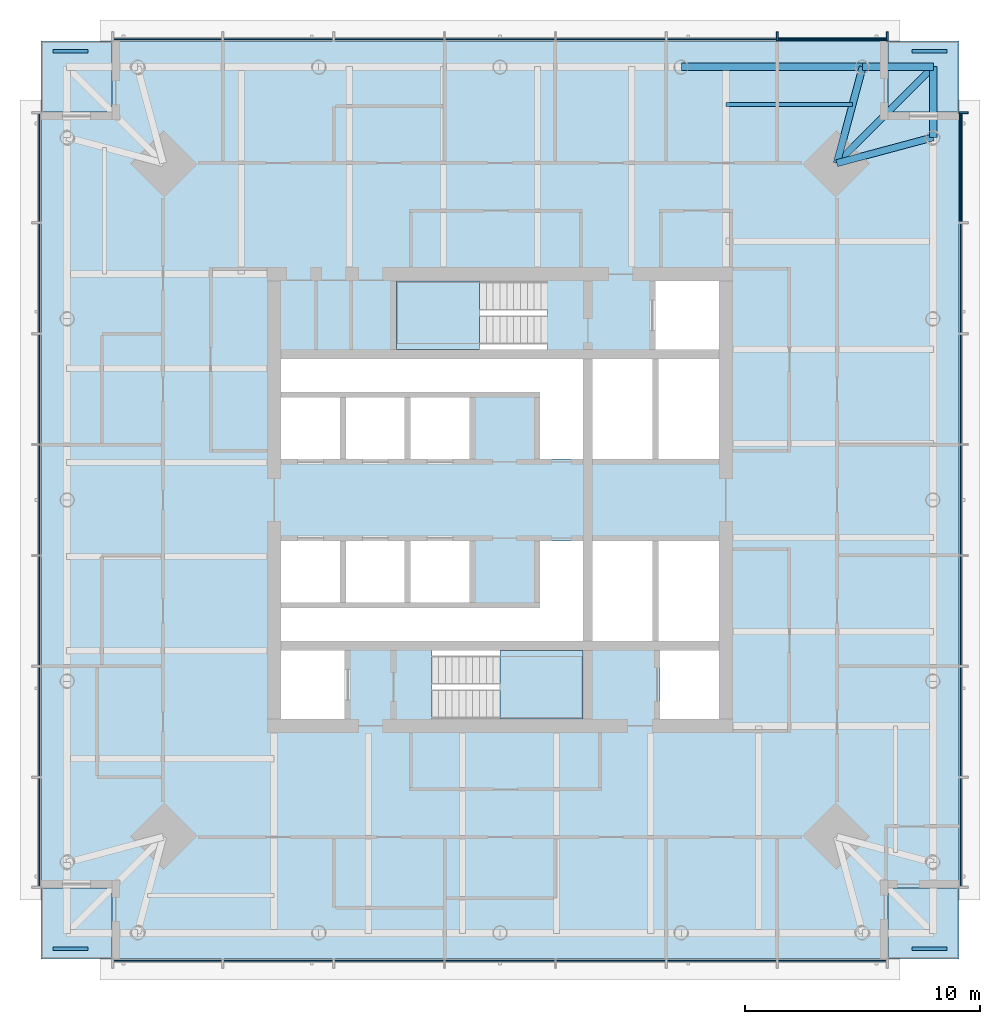
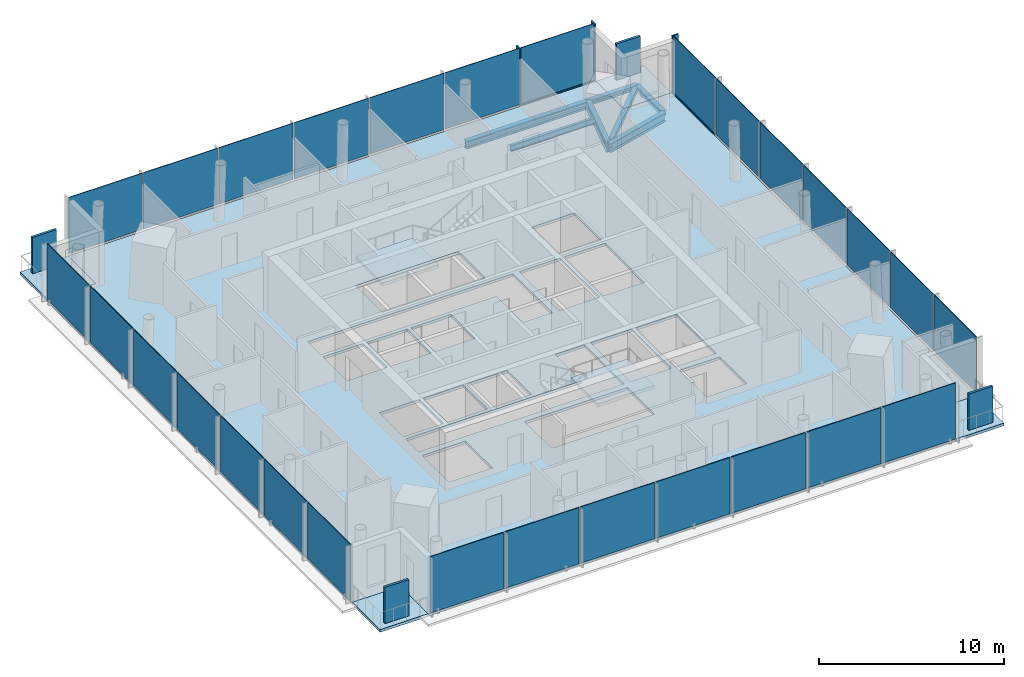
# One storey, part 3 of 11: 32 plates, 7 beams, 7 slabs, 5 members, 6 elements without a shape of their own.
"""IFC4 building model written with IfcOpenShell, lengths in metres."""

from ifc_helpers import new_model, si_unit, direction, frame, origin, origin_2d, place, context, subcontext, project, spatial, polyline, rectangle, i_section, outline, extrude, material, layer, layer_set, material_profile, profile_set, type_object, element, aggregate, save


model = new_model("IFC4")

# Units and contexts
model_context = context("Model", 3, precision=1e-05, world=origin(), true_north=direction((0.0, 1.0)))
body_context = subcontext(model_context, "Body", "Model", "MODEL_VIEW")
ifc_project = project(units=[si_unit("LENGTHUNIT", "METRE"), si_unit("AREAUNIT", "SQUARE_METRE"), si_unit("VOLUMEUNIT", "CUBIC_METRE"), si_unit("PLANEANGLEUNIT", "RADIAN"), si_unit("MASSUNIT", "GRAM", prefix="KILO")], contexts=[model_context])

# Site, building, storey
site_placement = place(None, origin())
site = spatial("IfcSite", under=ifc_project, at=site_placement, CompositionType="ELEMENT")
building_placement = place(site_placement, origin())
building = spatial("IfcBuilding", under=site, at=building_placement, Name="Ostroluk Exchange", CompositionType="ELEMENT")
storey_placement = place(building_placement, frame((0.0, 0.0, 195.800048828125)))
storey = spatial("IfcBuildingStorey", under=building, at=storey_placement, Name="L50", CompositionType="ELEMENT", Elevation=195.800048828125)

# Beams
ifc_material_1 = material(Name="Steel S355", Category="steel")
ifc_material_profile_1 = material_profile(ifc_material_1, i_section(OverallWidth=0.300048828125, OverallDepth=0.300048828125, WebThickness=0.010986328125, FlangeThickness=0.01904296875, FilletRadius=0.027099609375, at=origin_2d()), Name="HEB 300")
ifc_profile_set_1 = profile_set([ifc_material_profile_1], Name="Steel S355")
beam_type_1 = type_object("IfcBeamType", Name="Balcony beam HEB 300", PredefinedType="BEAM", material=ifc_profile_set_1)
for number, where, z_axis, x_axis, name in (
    (1, (63.414306640625, 61.414306640625, -0.330078125), (0.0, 1.0, 0.0), (-1.0, 0.0, 0.0), "T1 east balcony beam a"),
    (2, (60.414306640625, 64.414306640625, -0.330078125), (1.0, 0.0, 0.0), (0.0, 1.0, 0.0), "T1 east balcony beam b"),
):
    element("IfcBeam", number, at=place(storey_placement, frame(where, z_axis=z_axis, x_axis=x_axis)), inside=storey, type_object=beam_type_1, Name=name, PredefinedType="BEAM", context=body_context, shape_type="SweptSolid", body=[
        extrude(i_section(OverallWidth=0.300048828125, OverallDepth=0.300048828125, WebThickness=0.010986328125, FlangeThickness=0.01904296875, FilletRadius=0.027099609375, at=origin_2d()), origin(), (0.0, 0.0, 1.0), 3.0),
    ])
beam_1_placement = place(storey_placement, frame((59.314208984375, 60.314208984375, -0.330078125), z_axis=(0.707106781187, 0.707106781187, 0.0), x_axis=(-0.707106781187, 0.707106781187, 0.0)))
element("IfcBeam", 3, at=beam_1_placement, inside=storey, type_object=beam_type_1, Name="T1 east balcony beam c", PredefinedType="BEAM", context=body_context, shape_type="SweptSolid", body=[
    extrude(i_section(OverallWidth=0.300048828125, OverallDepth=0.300048828125, WebThickness=0.010986328125, FlangeThickness=0.01904296875, FilletRadius=0.027099609375, at=origin_2d()), origin(), (0.0, 0.0, 1.0), 5.79833984375),
])
ifc_material_2 = material(Name="Steel S355", Category="steel")
ifc_material_profile_2 = material_profile(ifc_material_2, i_section(OverallWidth=0.300048828125, OverallDepth=0.60009765625, WebThickness=0.015380859375, FlangeThickness=0.030029296875, FilletRadius=0.027099609375, at=origin_2d()), Name="HEB 600")
ifc_profile_set_2 = profile_set([ifc_material_profile_2], Name="Steel S355")
beam_type_2 = type_object("IfcBeamType", Name="Corner edge beam HEB 600", PredefinedType="SPANDREL", material=ifc_profile_set_2)
for number, where, z_axis, x_axis, name in (
    (4, (59.314208984375, 60.314208984375, -0.47998046875), (0.965838624319, 0.259144268261, 0.0), (-0.259144268261, 0.965838624319, 0.0), "T1 east corner edge beam a"),
    (5, (59.314208984375, 60.314208984375, -0.47998046875), (0.259144268261, 0.965838624319, 0.0), (-0.965838624319, 0.259144268261, 0.0), "T1 east corner edge beam b"),
):
    element("IfcBeam", number, at=place(storey_placement, frame(where, z_axis=z_axis, x_axis=x_axis)), inside=storey, type_object=beam_type_2, Name=name, PredefinedType="SPANDREL", context=body_context, shape_type="SweptSolid", body=[
        extrude(i_section(OverallWidth=0.300048828125, OverallDepth=0.60009765625, WebThickness=0.015380859375, FlangeThickness=0.030029296875, FilletRadius=0.027099609375, at=origin_2d()), origin(), (0.0, 0.0, 1.0), 4.2451171875),
    ])
ifc_material_3 = material(Name="Steel S355", Category="steel")
ifc_material_profile_3 = material_profile(ifc_material_3, i_section(OverallWidth=0.179931640625, OverallDepth=0.39990234375, WebThickness=0.008544921875, FlangeThickness=0.013427734375, FilletRadius=0.02099609375, at=origin_2d()), Name="IPE 400")
ifc_profile_set_3 = profile_set([ifc_material_profile_3], Name="Steel S355")
beam_type_3 = type_object("IfcBeamType", Name="Floor beam IPE 400", PredefinedType="BEAM", material=ifc_profile_set_3)
beam_2_placement = place(storey_placement, frame((54.60009765625, 62.814208984375, -0.380126953125), z_axis=(1.0, 0.0, 0.0), x_axis=(0.0, 1.0, 0.0)))
element("IfcBeam", 6, at=beam_2_placement, inside=storey, type_object=beam_type_3, Name="T1 east floor beam 6", PredefinedType="BEAM", context=body_context, shape_type="SweptSolid", body=[
    extrude(i_section(OverallWidth=0.179931640625, OverallDepth=0.39990234375, WebThickness=0.008544921875, FlangeThickness=0.013427734375, FilletRadius=0.02099609375, at=origin_2d()), origin(), (0.0, 0.0, 1.0), 5.385009765625),
])
ifc_material_4 = material(Name="Steel S355", Category="steel")
ifc_material_profile_4 = material_profile(ifc_material_4, i_section(OverallWidth=0.300048828125, OverallDepth=0.5, WebThickness=0.014404296875, FlangeThickness=0.028076171875, FilletRadius=0.027099609375, at=origin_2d()), Name="HEB 500")
ifc_profile_set_4 = profile_set([ifc_material_profile_4], Name="Steel S355")
beam_type_4 = type_object("IfcBeamType", Name="Moment-connected edge beam HEB 500", PredefinedType="SPANDREL", material=ifc_profile_set_4)
beam_3_placement = place(storey_placement, frame((60.414306640625, 64.414306640625, -0.429931640625), z_axis=(-1.0, 0.0, 0.0), x_axis=(0.0, -1.0, 0.0)))
element("IfcBeam", 7, at=beam_3_placement, inside=storey, type_object=beam_type_4, Name="T1 north edge beam 1", PredefinedType="SPANDREL", context=body_context, shape_type="SweptSolid", body=[
    extrude(i_section(OverallWidth=0.300048828125, OverallDepth=0.5, WebThickness=0.014404296875, FlangeThickness=0.028076171875, FilletRadius=0.027099609375, at=origin_2d()), origin(), (0.0, 0.0, 1.0), 7.707275390625),
])

# Curtain wall, member
ifc_material_5 = material(Name="Laminated clear glass", Category="glass")
curtain_wall_type = type_object("IfcCurtainWallType", Name="Office tower facade", PredefinedType="USERDEFINED", material=ifc_material_5)
curtain_wall_1_placement = place(storey_placement, origin())
curtain_wall_1 = element("IfcCurtainWall", 8, at=curtain_wall_1_placement, inside=storey, type_object=curtain_wall_type, Name="Office tower east facade L50", ObjectType="UNITISED CURTAIN WALL", PredefinedType="USERDEFINED")
ifc_material_6 = material(Name="Aluminium mullion", Category="aluminium")
ifc_material_profile_5 = material_profile(ifc_material_6, rectangle(XDim=0.14990234375, YDim=0.080078125, at=origin_2d()), Name="Sill transom 80 x 150")
ifc_profile_set_5 = profile_set([ifc_material_profile_5], Name="Aluminium mullion")
member_type_1 = type_object("IfcMemberType", Name="Sill transom 80 x 150", PredefinedType="USERDEFINED", material=ifc_profile_set_5)
member_1_placement = place(storey_placement, frame((64.574951171875, 57.82568359375, 0.0400390625), z_axis=(0.0, 1.0, 0.0), x_axis=(-1.0, 0.0, 0.0)))
member_1 = element("IfcMember", 9, at=member_1_placement, type_object=member_type_1, Name="CW-O1 transom 7.1", ObjectType="TRANSOM", PredefinedType="USERDEFINED", context=body_context, shape_type="SweptSolid", body=[
    extrude(rectangle(XDim=0.14990234375, YDim=0.080078125, at=origin_2d()), origin(), (0.0, 0.0, 1.0), 4.59423828125),
])

curtain_wall_2_placement = place(storey_placement, origin())
curtain_wall_2 = element("IfcCurtainWall", 10, at=curtain_wall_2_placement, inside=storey, type_object=curtain_wall_type, Name="Office tower north facade L50", ObjectType="UNITISED CURTAIN WALL", PredefinedType="USERDEFINED")
member_2_placement = place(storey_placement, frame((61.419921875, 65.574951171875, 0.0400390625), z_axis=(-1.0, 0.0, 0.0), x_axis=(0.0, -1.0, 0.0)))
member_2 = element("IfcMember", 11, at=member_2_placement, type_object=member_type_1, Name="CW-O1 transom 1.1", ObjectType="TRANSOM", PredefinedType="USERDEFINED", context=body_context, shape_type="SweptSolid", body=[
    extrude(rectangle(XDim=0.14990234375, YDim=0.080078125, at=origin_2d()), origin(), (0.0, 0.0, 1.0), 4.59423828125),
])

# Member
ifc_material_7 = material(Name="Aluminium mullion with limestone facing", Category="masonry")
ifc_material_profile_6 = material_profile(ifc_material_7, rectangle(XDim=0.39990234375, YDim=0.080078125, at=origin_2d()), Name="Tracery mullion 80 x 400")
ifc_profile_set_6 = profile_set([ifc_material_profile_6], Name="Aluminium mullion with limestone facing")
member_type_2 = type_object("IfcMemberType", Name="Tracery mullion 80 x 400", PredefinedType="MULLION", material=ifc_profile_set_6)
member_3_placement = place(storey_placement, frame((64.699951171875, 62.4599609375, 0.0), z_axis=(0.0, 0.0, 1.0), x_axis=(-1.0, 0.0, 0.0)))
member_3 = element("IfcMember", 12, at=member_3_placement, type_object=member_type_2, Name="CW-O1 mullion 8", PredefinedType="MULLION", context=body_context, shape_type="SweptSolid", body=[
    extrude(rectangle(XDim=0.39990234375, YDim=0.080078125, at=origin_2d()), origin(), (0.0, 0.0, 1.0), 3.800048828125),
])

member_4_placement = place(storey_placement, frame((61.4599609375, 65.699951171875, 0.0), z_axis=(0.0, 0.0, 1.0), x_axis=(0.0, -1.0, 0.0)))
member_4 = element("IfcMember", 13, at=member_4_placement, type_object=member_type_2, Name="CW-O1 mullion 1", PredefinedType="MULLION", context=body_context, shape_type="SweptSolid", body=[
    extrude(rectangle(XDim=0.39990234375, YDim=0.080078125, at=origin_2d()), origin(), (0.0, 0.0, 1.0), 3.800048828125),
])

member_5_placement = place(storey_placement, frame((56.78564453125, 65.699951171875, 0.0), z_axis=(0.0, 0.0, 1.0), x_axis=(0.0, -1.0, 0.0)))
member_5 = element("IfcMember", 14, at=member_5_placement, type_object=member_type_2, Name="CW-O1 mullion 2", PredefinedType="MULLION", context=body_context, shape_type="SweptSolid", body=[
    extrude(rectangle(XDim=0.39990234375, YDim=0.080078125, at=origin_2d()), origin(), (0.0, 0.0, 1.0), 3.800048828125),
])

# Slabs
ifc_material_8 = material(Name="Concrete C35/45", Category="concrete")
ifc_layer_1 = layer(ifc_material_8, 0.179931640625)
ifc_layer_set_1 = layer_set([ifc_layer_1], Name="Balcony slab 180")
slab_type_1 = type_object("IfcSlabType", Name="Balcony slab 180", PredefinedType="USERDEFINED", material=ifc_layer_set_1)
slab_1_placement = place(storey_placement, frame((0.0, 0.0, -0.179931640625)))
element("IfcSlab", 15, at=slab_1_placement, inside=storey, type_object=slab_type_1, Name="Office tower SE corner balcony L50", ObjectType="BALCONY", PredefinedType="USERDEFINED", context=body_context, shape_type="SweptSolid", body=[
    extrude(outline(polyline([(61.5, 26.5), (64.5, 26.5), (64.5, 29.5), (61.5, 29.5), (61.5, 26.5)])), origin(), (0.0, 0.0, 1.0), 0.179931640625),
])
slab_2_placement = place(storey_placement, frame((0.0, 0.0, -0.179931640625)))
element("IfcSlab", 16, at=slab_2_placement, inside=storey, type_object=slab_type_1, Name="Office tower NE corner balcony L50", ObjectType="BALCONY", PredefinedType="USERDEFINED", context=body_context, shape_type="SweptSolid", body=[
    extrude(outline(polyline([(61.5, 62.5), (64.5, 62.5), (64.5, 65.5), (61.5, 65.5), (61.5, 62.5)])), origin(), (0.0, 0.0, 1.0), 0.179931640625),
])
slab_3_placement = place(storey_placement, frame((0.0, 0.0, -0.179931640625)))
element("IfcSlab", 17, at=slab_3_placement, inside=storey, type_object=slab_type_1, Name="Office tower NW corner balcony L50", ObjectType="BALCONY", PredefinedType="USERDEFINED", context=body_context, shape_type="SweptSolid", body=[
    extrude(outline(polyline([(25.5, 62.5), (28.5, 62.5), (28.5, 65.5), (25.5, 65.5), (25.5, 62.5)])), origin(), (0.0, 0.0, 1.0), 0.179931640625),
])
slab_4_placement = place(storey_placement, frame((0.0, 0.0, -0.179931640625)))
element("IfcSlab", 18, at=slab_4_placement, inside=storey, type_object=slab_type_1, Name="Office tower SW corner balcony L50", ObjectType="BALCONY", PredefinedType="USERDEFINED", context=body_context, shape_type="SweptSolid", body=[
    extrude(outline(polyline([(25.5, 26.5), (28.5, 26.5), (28.5, 29.5), (25.5, 29.5), (25.5, 26.5)])), origin(), (0.0, 0.0, 1.0), 0.179931640625),
])

# Plates
ifc_material_9 = material(Name="Steel S355 trellis with planting", Category="steel")
ifc_layer_2 = layer(ifc_material_9, 0.14990234375)
ifc_layer_set_2 = layer_set([ifc_layer_2], Name="Planted screen 150")
plate_type_1 = type_object("IfcPlateType", Name="Planted screen 150", PredefinedType="USERDEFINED", material=ifc_layer_set_2)
for number, where, z_axis, x_axis, name in (
    (19, (63.25, 26.925048828125, 0.0), (0.0, 0.0, 1.0), (1.0, 0.0, 0.0), "Office tower SE planted screen L50"),
    (20, (63.25, 65.074951171875, 0.0), (0.0, 0.0, 1.0), (1.0, 0.0, 0.0), "Office tower NE planted screen L50"),
    (21, (26.75, 65.074951171875, 0.0), (0.0, 0.0, 1.0), (1.0, 0.0, 0.0), "Office tower NW planted screen L50"),
    (22, (26.75, 26.925048828125, 0.0), (0.0, 0.0, 1.0), (1.0, 0.0, 0.0), "Office tower SW planted screen L50"),
):
    element("IfcPlate", number, at=place(storey_placement, frame(where, z_axis=z_axis, x_axis=x_axis)), inside=storey, type_object=plate_type_1, Name=name, ObjectType="PLANTED SCREEN", PredefinedType="USERDEFINED", context=body_context, shape_type="SweptSolid", body=[
        extrude(rectangle(XDim=1.5, YDim=0.14990234375, at=origin_2d()), origin(), (0.0, 0.0, 1.0), 2.39990234375),
    ])

# Stair, slab
ifc_material_10 = material(Name="Concrete C30/37", Category="concrete")
stair_type = type_object("IfcStairType", Name="Exit stair half turn 3800", PredefinedType="HALF_TURN_STAIR", material=ifc_material_10)
stair_1_placement = place(storey_placement, origin())
stair_1 = element("IfcStair", 23, at=stair_1_placement, inside=storey, type_object=stair_type, Name="Stair T1-S1 L50", PredefinedType="HALF_TURN_STAIR")
ifc_material_11 = material(Name="Concrete C30/37", Category="concrete")
ifc_layer_3 = layer(ifc_material_11, 0.199951171875)
ifc_layer_set_3 = layer_set([ifc_layer_3], Name="Stair landing 200")
slab_type_2 = type_object("IfcSlabType", Name="Stair landing 200", PredefinedType="LANDING", material=ifc_layer_set_3)
slab_5_placement = place(storey_placement, frame((0.0, 0.0, 1.699951171875)))
slab_5 = element("IfcSlab", 24, at=slab_5_placement, type_object=slab_type_2, Name="T1-S1 landing 1", PredefinedType="LANDING", context=body_context, shape_type="SweptSolid", body=[
    extrude(outline(polyline([(45.0, 36.699951171875), (45.0, 39.60009765625), (48.530029296875, 39.60009765625), (48.530029296875, 36.699951171875), (45.0, 36.699951171875)])), origin(), (0.0, 0.0, 1.0), 0.199951171875),
])
aggregate(stair_1, [slab_5])

stair_2_placement = place(storey_placement, origin())
stair_2 = element("IfcStair", 25, at=stair_2_placement, inside=storey, type_object=stair_type, Name="Stair T1-S2 L50", PredefinedType="HALF_TURN_STAIR")
slab_6_placement = place(storey_placement, frame((0.0, 0.0, 1.699951171875)))
slab_6 = element("IfcSlab", 26, at=slab_6_placement, type_object=slab_type_2, Name="T1-S2 landing 1", PredefinedType="LANDING", context=body_context, shape_type="SweptSolid", body=[
    extrude(outline(polyline([(44.1298828125, 52.39990234375), (44.1298828125, 55.300048828125), (40.60009765625, 55.300048828125), (40.60009765625, 52.39990234375), (44.1298828125, 52.39990234375)])), origin(), (0.0, 0.0, 1.0), 0.199951171875),
])
aggregate(stair_2, [slab_6])

# Slab
ifc_material_12 = material(Name="Concrete C35/45", Category="concrete")
ifc_layer_4 = layer(ifc_material_12, 0.179931640625)
ifc_layer_set_4 = layer_set([ifc_layer_4], Name="Tower floor slab 180 composite")
slab_type_3 = type_object("IfcSlabType", Name="Tower floor slab 180 composite", PredefinedType="FLOOR", material=ifc_layer_set_4)
slab_7_placement = place(storey_placement, frame((0.0, 0.0, -0.179931640625)))
element("IfcSlab", 27, at=slab_7_placement, inside=storey, type_object=slab_type_3, Name="Office tower floor slab L50", PredefinedType="FLOOR", context=body_context, shape_type="SweptSolid", body=[
    extrude(outline(polyline([(28.5, 26.5), (61.5, 26.5), (61.5, 29.5), (64.5, 29.5), (64.5, 62.5), (61.5, 62.5), (61.5, 65.5), (28.5, 65.5), (28.5, 62.5), (25.5, 62.5), (25.5, 29.5), (28.5, 29.5), (28.5, 26.5)]), holes=[polyline([(35.699951171875, 36.699951171875), (38.39990234375, 36.699951171875), (38.39990234375, 39.60009765625), (35.699951171875, 39.60009765625), (35.699951171875, 36.699951171875)]), polyline([(42.110107421875, 36.699951171875), (48.530029296875, 36.699951171875), (48.530029296875, 39.60009765625), (42.110107421875, 39.60009765625), (42.110107421875, 36.699951171875)]), polyline([(51.800048828125, 36.699951171875), (54.300048828125, 36.699951171875), (54.300048828125, 39.60009765625), (51.800048828125, 39.60009765625), (51.800048828125, 36.699951171875)]), polyline([(40.60009765625, 52.39990234375), (47.02001953125, 52.39990234375), (47.02001953125, 55.300048828125), (40.60009765625, 55.300048828125), (40.60009765625, 52.39990234375)]), polyline([(51.60009765625, 52.39990234375), (54.300048828125, 52.39990234375), (54.300048828125, 55.300048828125), (51.60009765625, 55.300048828125), (51.60009765625, 52.39990234375)]), polyline([(35.699951171875, 47.75), (38.199951171875, 47.75), (38.199951171875, 50.35009765625), (35.699951171875, 50.35009765625), (35.699951171875, 47.75)]), polyline([(38.449951171875, 47.75), (40.949951171875, 47.75), (40.949951171875, 50.35009765625), (38.449951171875, 50.35009765625), (38.449951171875, 47.75)]), polyline([(41.199951171875, 47.75), (43.699951171875, 47.75), (43.699951171875, 50.35009765625), (41.199951171875, 50.35009765625), (41.199951171875, 47.75)]), polyline([(35.699951171875, 41.64990234375), (38.199951171875, 41.64990234375), (38.199951171875, 44.25), (35.699951171875, 44.25), (35.699951171875, 41.64990234375)]), polyline([(38.449951171875, 41.64990234375), (40.949951171875, 41.64990234375), (40.949951171875, 44.25), (38.449951171875, 44.25), (38.449951171875, 41.64990234375)]), polyline([(41.199951171875, 41.64990234375), (43.699951171875, 41.64990234375), (43.699951171875, 44.25), (41.199951171875, 44.25), (41.199951171875, 41.64990234375)]), polyline([(48.929931640625, 47.75), (51.489990234375, 47.75), (51.489990234375, 52.0), (48.929931640625, 52.0), (48.929931640625, 47.75)]), polyline([(51.739990234375, 47.75), (54.300048828125, 47.75), (54.300048828125, 52.0), (51.739990234375, 52.0), (51.739990234375, 47.75)]), polyline([(48.929931640625, 40.0), (51.489990234375, 40.0), (51.489990234375, 44.25), (48.929931640625, 44.25), (48.929931640625, 40.0)]), polyline([(51.739990234375, 40.0), (54.300048828125, 40.0), (54.300048828125, 44.25), (51.739990234375, 44.25), (51.739990234375, 40.0)]), polyline([(48.530029296875, 52.0), (48.530029296875, 47.75), (46.699951171875, 47.75), (46.699951171875, 50.60009765625), (35.699951171875, 50.60009765625), (35.699951171875, 52.0), (48.530029296875, 52.0)]), polyline([(35.699951171875, 40.0), (35.699951171875, 41.39990234375), (46.699951171875, 41.39990234375), (46.699951171875, 44.25), (48.530029296875, 44.25), (48.530029296875, 40.0), (35.699951171875, 40.0)])]), origin(), (0.0, 0.0, 1.0), 0.179931640625),
])

# Curtain wall, plates
curtain_wall_3_placement = place(storey_placement, origin())
curtain_wall_3 = element("IfcCurtainWall", 28, at=curtain_wall_3_placement, inside=storey, type_object=curtain_wall_type, Name="Office tower south facade L50", ObjectType="UNITISED CURTAIN WALL", PredefinedType="USERDEFINED")
ifc_material_13 = material(Name="Laminated clear glass", Category="glass")
ifc_layer_5 = layer(ifc_material_13, 0.0439453125)
ifc_layer_set_5 = layer_set([ifc_layer_5], Name="Triple laminated clear glazing 44")
plate_type_2 = type_object("IfcPlateType", Name="Triple laminated clear glazing 44", PredefinedType="CURTAIN_PANEL", material=ifc_layer_set_5)
plate_1_placement = place(storey_placement, frame((30.877197265625, 26.425048828125, 0.080078125), z_axis=(0.0, 0.0, 1.0), x_axis=(1.0, 0.0, 0.0)))
plate_1 = element("IfcPlate", 29, at=plate_1_placement, type_object=plate_type_2, Name="CW-O1 panel 1.1", PredefinedType="CURTAIN_PANEL", context=body_context, shape_type="SweptSolid", body=[
    extrude(rectangle(XDim=4.59423828125, YDim=0.0439453125, at=origin_2d()), origin(), (0.0, 0.0, 1.0), 3.719970703125),
])
plate_2_placement = place(storey_placement, frame((35.571533203125, 26.425048828125, 0.080078125), z_axis=(0.0, 0.0, 1.0), x_axis=(1.0, 0.0, 0.0)))
plate_2 = element("IfcPlate", 30, at=plate_2_placement, type_object=plate_type_2, Name="CW-O1 panel 2.1", PredefinedType="CURTAIN_PANEL", context=body_context, shape_type="SweptSolid", body=[
    extrude(rectangle(XDim=4.63427734375, YDim=0.0439453125, at=origin_2d()), origin(), (0.0, 0.0, 1.0), 3.719970703125),
])
plate_3_placement = place(storey_placement, frame((40.28564453125, 26.425048828125, 0.080078125), z_axis=(0.0, 0.0, 1.0), x_axis=(1.0, 0.0, 0.0)))
plate_3 = element("IfcPlate", 31, at=plate_3_placement, type_object=plate_type_2, Name="CW-O1 panel 3.1", PredefinedType="CURTAIN_PANEL", context=body_context, shape_type="SweptSolid", body=[
    extrude(rectangle(XDim=4.63427734375, YDim=0.0439453125, at=origin_2d()), origin(), (0.0, 0.0, 1.0), 3.719970703125),
])
plate_4_placement = place(storey_placement, frame((45.0, 26.425048828125, 0.080078125), z_axis=(0.0, 0.0, 1.0), x_axis=(1.0, 0.0, 0.0)))
plate_4 = element("IfcPlate", 32, at=plate_4_placement, type_object=plate_type_2, Name="CW-O1 panel 4.1", PredefinedType="CURTAIN_PANEL", context=body_context, shape_type="SweptSolid", body=[
    extrude(rectangle(XDim=4.63427734375, YDim=0.0439453125, at=origin_2d()), origin(), (0.0, 0.0, 1.0), 3.719970703125),
])
plate_5_placement = place(storey_placement, frame((49.71435546875, 26.425048828125, 0.080078125), z_axis=(0.0, 0.0, 1.0), x_axis=(1.0, 0.0, 0.0)))
plate_5 = element("IfcPlate", 33, at=plate_5_placement, type_object=plate_type_2, Name="CW-O1 panel 5.1", PredefinedType="CURTAIN_PANEL", context=body_context, shape_type="SweptSolid", body=[
    extrude(rectangle(XDim=4.63427734375, YDim=0.0439453125, at=origin_2d()), origin(), (0.0, 0.0, 1.0), 3.719970703125),
])
plate_6_placement = place(storey_placement, frame((54.428466796875, 26.425048828125, 0.080078125), z_axis=(0.0, 0.0, 1.0), x_axis=(1.0, 0.0, 0.0)))
plate_6 = element("IfcPlate", 34, at=plate_6_placement, type_object=plate_type_2, Name="CW-O1 panel 6.1", PredefinedType="CURTAIN_PANEL", context=body_context, shape_type="SweptSolid", body=[
    extrude(rectangle(XDim=4.63427734375, YDim=0.0439453125, at=origin_2d()), origin(), (0.0, 0.0, 1.0), 3.719970703125),
])
plate_7_placement = place(storey_placement, frame((59.122802734375, 26.425048828125, 0.080078125), z_axis=(0.0, 0.0, 1.0), x_axis=(1.0, 0.0, 0.0)))
plate_7 = element("IfcPlate", 35, at=plate_7_placement, type_object=plate_type_2, Name="CW-O1 panel 7.1", PredefinedType="CURTAIN_PANEL", context=body_context, shape_type="SweptSolid", body=[
    extrude(rectangle(XDim=4.59423828125, YDim=0.0439453125, at=origin_2d()), origin(), (0.0, 0.0, 1.0), 3.719970703125),
])
aggregate(curtain_wall_3, [plate_1, plate_2, plate_3, plate_4, plate_5, plate_6, plate_7])

# Plate
plate_8_placement = place(storey_placement, frame((64.574951171875, 31.877197265625, 0.080078125), z_axis=(0.0, 0.0, 1.0), x_axis=(0.0, 1.0, 0.0)))
plate_8 = element("IfcPlate", 36, at=plate_8_placement, type_object=plate_type_2, Name="CW-O1 panel 1.1", PredefinedType="CURTAIN_PANEL", context=body_context, shape_type="SweptSolid", body=[
    extrude(rectangle(XDim=4.59423828125, YDim=0.0439453125, at=origin_2d()), origin(), (0.0, 0.0, 1.0), 3.719970703125),
])

plate_9_placement = place(storey_placement, frame((64.574951171875, 36.571533203125, 0.080078125), z_axis=(0.0, 0.0, 1.0), x_axis=(0.0, 1.0, 0.0)))
plate_9 = element("IfcPlate", 37, at=plate_9_placement, type_object=plate_type_2, Name="CW-O1 panel 2.1", PredefinedType="CURTAIN_PANEL", context=body_context, shape_type="SweptSolid", body=[
    extrude(rectangle(XDim=4.63427734375, YDim=0.0439453125, at=origin_2d()), origin(), (0.0, 0.0, 1.0), 3.719970703125),
])

plate_10_placement = place(storey_placement, frame((64.574951171875, 41.28564453125, 0.080078125), z_axis=(0.0, 0.0, 1.0), x_axis=(0.0, 1.0, 0.0)))
plate_10 = element("IfcPlate", 38, at=plate_10_placement, type_object=plate_type_2, Name="CW-O1 panel 3.1", PredefinedType="CURTAIN_PANEL", context=body_context, shape_type="SweptSolid", body=[
    extrude(rectangle(XDim=4.63427734375, YDim=0.0439453125, at=origin_2d()), origin(), (0.0, 0.0, 1.0), 3.719970703125),
])

plate_11_placement = place(storey_placement, frame((64.574951171875, 46.0, 0.080078125), z_axis=(0.0, 0.0, 1.0), x_axis=(0.0, 1.0, 0.0)))
plate_11 = element("IfcPlate", 39, at=plate_11_placement, type_object=plate_type_2, Name="CW-O1 panel 4.1", PredefinedType="CURTAIN_PANEL", context=body_context, shape_type="SweptSolid", body=[
    extrude(rectangle(XDim=4.63427734375, YDim=0.0439453125, at=origin_2d()), origin(), (0.0, 0.0, 1.0), 3.719970703125),
])

plate_12_placement = place(storey_placement, frame((64.574951171875, 50.71435546875, 0.080078125), z_axis=(0.0, 0.0, 1.0), x_axis=(0.0, 1.0, 0.0)))
plate_12 = element("IfcPlate", 40, at=plate_12_placement, type_object=plate_type_2, Name="CW-O1 panel 5.1", PredefinedType="CURTAIN_PANEL", context=body_context, shape_type="SweptSolid", body=[
    extrude(rectangle(XDim=4.63427734375, YDim=0.0439453125, at=origin_2d()), origin(), (0.0, 0.0, 1.0), 3.719970703125),
])

plate_13_placement = place(storey_placement, frame((64.574951171875, 55.428466796875, 0.080078125), z_axis=(0.0, 0.0, 1.0), x_axis=(0.0, 1.0, 0.0)))
plate_13 = element("IfcPlate", 41, at=plate_13_placement, type_object=plate_type_2, Name="CW-O1 panel 6.1", PredefinedType="CURTAIN_PANEL", context=body_context, shape_type="SweptSolid", body=[
    extrude(rectangle(XDim=4.63427734375, YDim=0.0439453125, at=origin_2d()), origin(), (0.0, 0.0, 1.0), 3.719970703125),
])

plate_14_placement = place(storey_placement, frame((64.574951171875, 60.122802734375, 0.080078125), z_axis=(0.0, 0.0, 1.0), x_axis=(0.0, 1.0, 0.0)))
plate_14 = element("IfcPlate", 42, at=plate_14_placement, type_object=plate_type_2, Name="CW-O1 panel 7.1", PredefinedType="CURTAIN_PANEL", context=body_context, shape_type="SweptSolid", body=[
    extrude(rectangle(XDim=4.59423828125, YDim=0.0439453125, at=origin_2d()), origin(), (0.0, 0.0, 1.0), 3.719970703125),
])

aggregate(curtain_wall_1, [member_3, plate_8, plate_9, plate_10, plate_11, plate_12, plate_13, member_1, plate_14])

plate_15_placement = place(storey_placement, frame((59.122802734375, 65.574951171875, 0.080078125), z_axis=(0.0, 0.0, 1.0), x_axis=(-1.0, 0.0, 0.0)))
plate_15 = element("IfcPlate", 43, at=plate_15_placement, type_object=plate_type_2, Name="CW-O1 panel 1.1", PredefinedType="CURTAIN_PANEL", context=body_context, shape_type="SweptSolid", body=[
    extrude(rectangle(XDim=4.59423828125, YDim=0.0439453125, at=origin_2d()), origin(), (0.0, 0.0, 1.0), 3.719970703125),
])

plate_16_placement = place(storey_placement, frame((54.428466796875, 65.574951171875, 0.080078125), z_axis=(0.0, 0.0, 1.0), x_axis=(-1.0, 0.0, 0.0)))
plate_16 = element("IfcPlate", 44, at=plate_16_placement, type_object=plate_type_2, Name="CW-O1 panel 2.1", PredefinedType="CURTAIN_PANEL", context=body_context, shape_type="SweptSolid", body=[
    extrude(rectangle(XDim=4.63427734375, YDim=0.0439453125, at=origin_2d()), origin(), (0.0, 0.0, 1.0), 3.719970703125),
])

plate_17_placement = place(storey_placement, frame((49.71435546875, 65.574951171875, 0.080078125), z_axis=(0.0, 0.0, 1.0), x_axis=(-1.0, 0.0, 0.0)))
plate_17 = element("IfcPlate", 45, at=plate_17_placement, type_object=plate_type_2, Name="CW-O1 panel 3.1", PredefinedType="CURTAIN_PANEL", context=body_context, shape_type="SweptSolid", body=[
    extrude(rectangle(XDim=4.63427734375, YDim=0.0439453125, at=origin_2d()), origin(), (0.0, 0.0, 1.0), 3.719970703125),
])

plate_18_placement = place(storey_placement, frame((45.0, 65.574951171875, 0.080078125), z_axis=(0.0, 0.0, 1.0), x_axis=(-1.0, 0.0, 0.0)))
plate_18 = element("IfcPlate", 46, at=plate_18_placement, type_object=plate_type_2, Name="CW-O1 panel 4.1", PredefinedType="CURTAIN_PANEL", context=body_context, shape_type="SweptSolid", body=[
    extrude(rectangle(XDim=4.63427734375, YDim=0.0439453125, at=origin_2d()), origin(), (0.0, 0.0, 1.0), 3.719970703125),
])

plate_19_placement = place(storey_placement, frame((40.28564453125, 65.574951171875, 0.080078125), z_axis=(0.0, 0.0, 1.0), x_axis=(-1.0, 0.0, 0.0)))
plate_19 = element("IfcPlate", 47, at=plate_19_placement, type_object=plate_type_2, Name="CW-O1 panel 5.1", PredefinedType="CURTAIN_PANEL", context=body_context, shape_type="SweptSolid", body=[
    extrude(rectangle(XDim=4.63427734375, YDim=0.0439453125, at=origin_2d()), origin(), (0.0, 0.0, 1.0), 3.719970703125),
])

plate_20_placement = place(storey_placement, frame((35.571533203125, 65.574951171875, 0.080078125), z_axis=(0.0, 0.0, 1.0), x_axis=(-1.0, 0.0, 0.0)))
plate_20 = element("IfcPlate", 48, at=plate_20_placement, type_object=plate_type_2, Name="CW-O1 panel 6.1", PredefinedType="CURTAIN_PANEL", context=body_context, shape_type="SweptSolid", body=[
    extrude(rectangle(XDim=4.63427734375, YDim=0.0439453125, at=origin_2d()), origin(), (0.0, 0.0, 1.0), 3.719970703125),
])

plate_21_placement = place(storey_placement, frame((30.877197265625, 65.574951171875, 0.080078125), z_axis=(0.0, 0.0, 1.0), x_axis=(-1.0, 0.0, 0.0)))
plate_21 = element("IfcPlate", 49, at=plate_21_placement, type_object=plate_type_2, Name="CW-O1 panel 7.1", PredefinedType="CURTAIN_PANEL", context=body_context, shape_type="SweptSolid", body=[
    extrude(rectangle(XDim=4.59423828125, YDim=0.0439453125, at=origin_2d()), origin(), (0.0, 0.0, 1.0), 3.719970703125),
])

aggregate(curtain_wall_2, [member_4, member_5, member_2, plate_15, plate_16, plate_17, plate_18, plate_19, plate_20, plate_21])

# Curtain wall, plates
curtain_wall_4_placement = place(storey_placement, origin())
curtain_wall_4 = element("IfcCurtainWall", 50, at=curtain_wall_4_placement, inside=storey, type_object=curtain_wall_type, Name="Office tower west facade L50", ObjectType="UNITISED CURTAIN WALL", PredefinedType="USERDEFINED")
plate_22_placement = place(storey_placement, frame((25.425048828125, 60.122802734375, 0.080078125), z_axis=(0.0, 0.0, 1.0), x_axis=(0.0, -1.0, 0.0)))
plate_22 = element("IfcPlate", 51, at=plate_22_placement, type_object=plate_type_2, Name="CW-O1 panel 1.1", PredefinedType="CURTAIN_PANEL", context=body_context, shape_type="SweptSolid", body=[
    extrude(rectangle(XDim=4.59423828125, YDim=0.0439453125, at=origin_2d()), origin(), (0.0, 0.0, 1.0), 3.719970703125),
])
plate_23_placement = place(storey_placement, frame((25.425048828125, 55.428466796875, 0.080078125), z_axis=(0.0, 0.0, 1.0), x_axis=(0.0, -1.0, 0.0)))
plate_23 = element("IfcPlate", 52, at=plate_23_placement, type_object=plate_type_2, Name="CW-O1 panel 2.1", PredefinedType="CURTAIN_PANEL", context=body_context, shape_type="SweptSolid", body=[
    extrude(rectangle(XDim=4.63427734375, YDim=0.0439453125, at=origin_2d()), origin(), (0.0, 0.0, 1.0), 3.719970703125),
])
plate_24_placement = place(storey_placement, frame((25.425048828125, 50.71435546875, 0.080078125), z_axis=(0.0, 0.0, 1.0), x_axis=(0.0, -1.0, 0.0)))
plate_24 = element("IfcPlate", 53, at=plate_24_placement, type_object=plate_type_2, Name="CW-O1 panel 3.1", PredefinedType="CURTAIN_PANEL", context=body_context, shape_type="SweptSolid", body=[
    extrude(rectangle(XDim=4.63427734375, YDim=0.0439453125, at=origin_2d()), origin(), (0.0, 0.0, 1.0), 3.719970703125),
])
plate_25_placement = place(storey_placement, frame((25.425048828125, 46.0, 0.080078125), z_axis=(0.0, 0.0, 1.0), x_axis=(0.0, -1.0, 0.0)))
plate_25 = element("IfcPlate", 54, at=plate_25_placement, type_object=plate_type_2, Name="CW-O1 panel 4.1", PredefinedType="CURTAIN_PANEL", context=body_context, shape_type="SweptSolid", body=[
    extrude(rectangle(XDim=4.63427734375, YDim=0.0439453125, at=origin_2d()), origin(), (0.0, 0.0, 1.0), 3.719970703125),
])
plate_26_placement = place(storey_placement, frame((25.425048828125, 41.28564453125, 0.080078125), z_axis=(0.0, 0.0, 1.0), x_axis=(0.0, -1.0, 0.0)))
plate_26 = element("IfcPlate", 55, at=plate_26_placement, type_object=plate_type_2, Name="CW-O1 panel 5.1", PredefinedType="CURTAIN_PANEL", context=body_context, shape_type="SweptSolid", body=[
    extrude(rectangle(XDim=4.63427734375, YDim=0.0439453125, at=origin_2d()), origin(), (0.0, 0.0, 1.0), 3.719970703125),
])
plate_27_placement = place(storey_placement, frame((25.425048828125, 36.571533203125, 0.080078125), z_axis=(0.0, 0.0, 1.0), x_axis=(0.0, -1.0, 0.0)))
plate_27 = element("IfcPlate", 56, at=plate_27_placement, type_object=plate_type_2, Name="CW-O1 panel 6.1", PredefinedType="CURTAIN_PANEL", context=body_context, shape_type="SweptSolid", body=[
    extrude(rectangle(XDim=4.63427734375, YDim=0.0439453125, at=origin_2d()), origin(), (0.0, 0.0, 1.0), 3.719970703125),
])
plate_28_placement = place(storey_placement, frame((25.425048828125, 31.877197265625, 0.080078125), z_axis=(0.0, 0.0, 1.0), x_axis=(0.0, -1.0, 0.0)))
plate_28 = element("IfcPlate", 57, at=plate_28_placement, type_object=plate_type_2, Name="CW-O1 panel 7.1", PredefinedType="CURTAIN_PANEL", context=body_context, shape_type="SweptSolid", body=[
    extrude(rectangle(XDim=4.59423828125, YDim=0.0439453125, at=origin_2d()), origin(), (0.0, 0.0, 1.0), 3.719970703125),
])
aggregate(curtain_wall_4, [plate_22, plate_23, plate_24, plate_25, plate_26, plate_27, plate_28])

save(model, "model.ifc")
